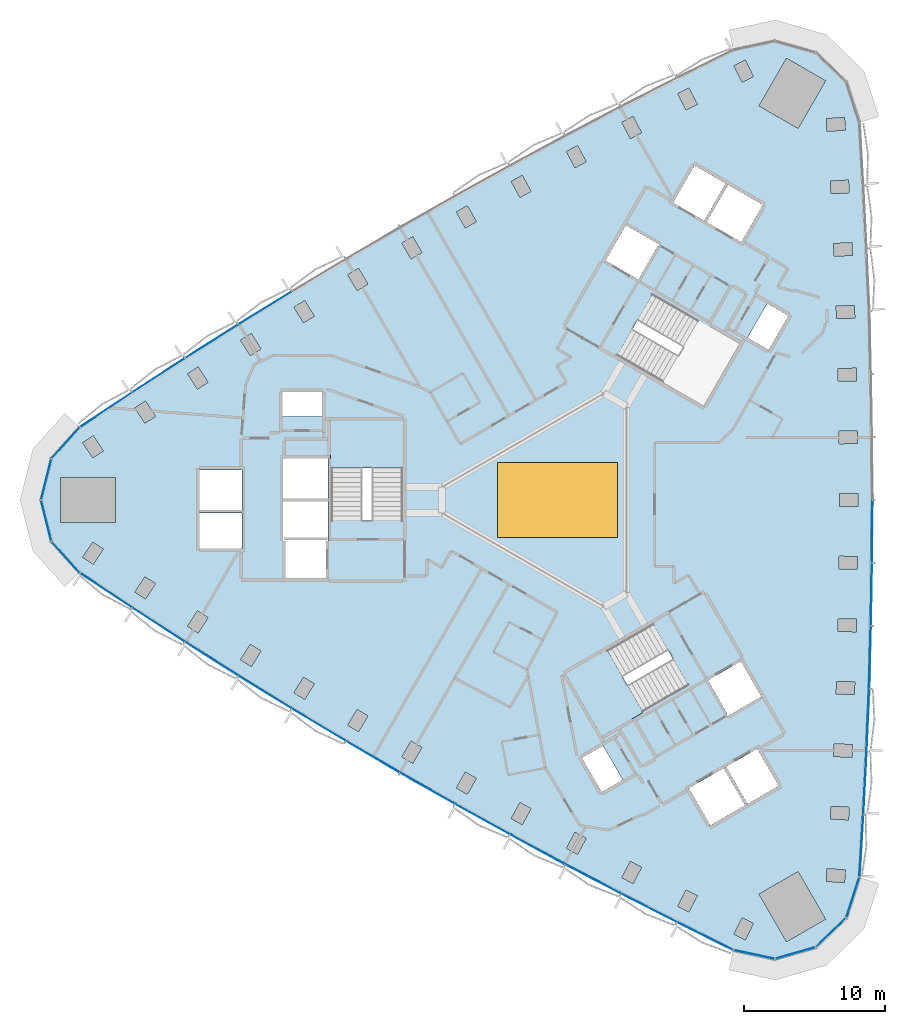
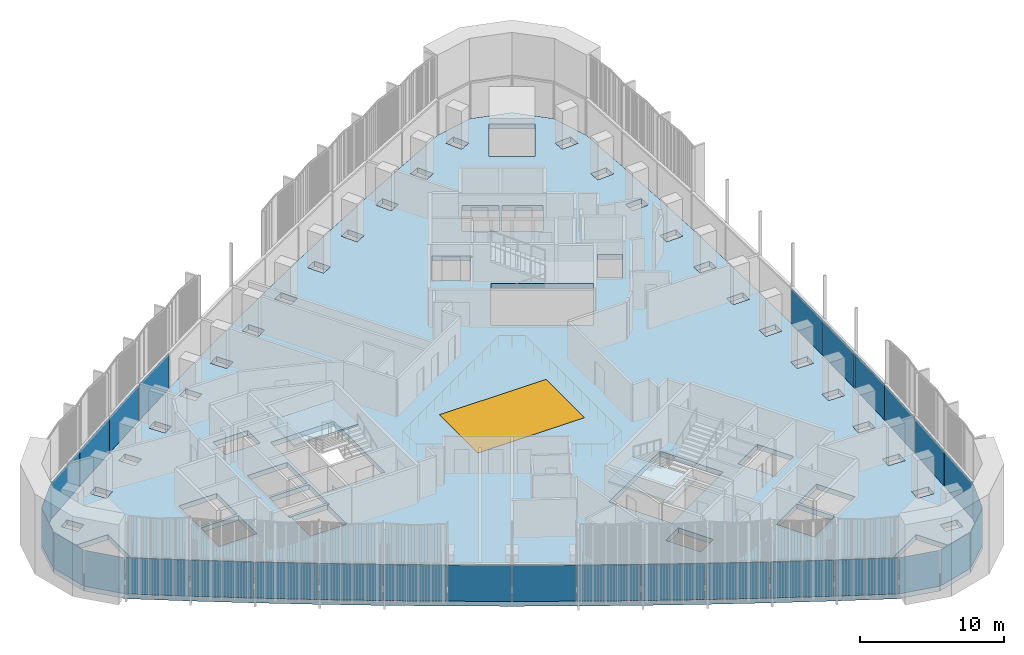
# One storey, part 6 of 15: 30 plates, 3 slabs, 1 window, 1 opening, 5 elements without a shape of their own.
"""IFC4 building model written with IfcOpenShell, lengths in metres."""

import ifcopenshell
import ifcopenshell.guid

model = None  # the IFC model being written
_history = None  # IfcOwnerHistory: only IFC2X3 demands one
_inside = {}  # id of a spatial element -> (the spatial element, [elements in it])
_under = {}  # id of a project, library or spatial element -> (it, [spatial elements below it])
_declared = {}  # id of a project -> (the project, [libraries it declares])
_typed = {}  # id of a type object -> (the type object, [elements of that type])
_made_of = {}  # id of a material, layer set ... -> (it, [elements and type objects made of it])


def new_model(schema):
    """Start an empty IFC model of exactly this schema.

    Asked for "IFC4X3", IfcOpenShell would pick the latest addendum, in which some entities
    have other attributes; the version numbers below select the first issue.
    IFC2X3 requires an IfcOwnerHistory on every rooted entity: one is made here for all.
    """
    global model, _history
    if schema == "IFC4X3":
        model = ifcopenshell.file(schema_version=(4, 3, 0, 0))
    else:
        model = ifcopenshell.file(schema=schema)
    _inside.clear()
    _under.clear()
    _declared.clear()
    _typed.clear()
    _made_of.clear()
    _history = None
    if model.schema == "IFC2X3":
        org = make("IfcOrganization", Name="unknown")
        user = make(
            "IfcPersonAndOrganization",
            ThePerson=make("IfcPerson", FamilyName="unknown"),
            TheOrganization=org,
        )
        app = make(
            "IfcApplication",
            ApplicationDeveloper=org,
            Version="unknown",
            ApplicationFullName="unknown",
            ApplicationIdentifier="unknown",
        )
        _history = make(
            "IfcOwnerHistory",
            OwningUser=user,
            OwningApplication=app,
            ChangeAction="ADDED",
            CreationDate=0,
        )
    return model


def make(cls, **values):
    """One entity of the class cls with the attributes given. An attribute that is None is left unset."""
    return model.create_entity(
        cls, **{name: value for name, value in values.items() if value is not None}
    )


def rooted(cls, **values):
    """An entity with a GlobalId (a new one), such as an element, a storey or a relation."""
    return make(cls, GlobalId=ifcopenshell.guid.new(), OwnerHistory=_history, **values)


def si_unit(unit_type, name, prefix=None):
    """IfcSIUnit, for example si_unit("LENGTHUNIT", "METRE", prefix="MILLI")."""
    return make("IfcSIUnit", UnitType=unit_type, Prefix=prefix, Name=name)


def assignment(units):
    """IfcUnitAssignment: the units of a project."""
    return None if units is None else make("IfcUnitAssignment", Units=units)


def point(xyz):
    """IfcCartesianPoint."""
    return None if xyz is None else make("IfcCartesianPoint", Coordinates=xyz)


def direction(xyz):
    """IfcDirection."""
    return None if xyz is None else make("IfcDirection", DirectionRatios=xyz)


def frame(location, z_axis=None, x_axis=None):
    """IfcAxis2Placement3D, a coordinate frame: its origin and axes. An axis left out is left unset."""
    return make(
        "IfcAxis2Placement3D",
        Location=point(location),
        Axis=direction(z_axis),
        RefDirection=direction(x_axis),
    )


def frame_2d(location, x_axis=None):
    """IfcAxis2Placement2D, a coordinate frame in the plane: its origin and x axis."""
    return make(
        "IfcAxis2Placement2D", Location=point(location), RefDirection=direction(x_axis)
    )


def origin():
    """The frame at (0, 0, 0) with its axes left unset."""
    return frame((0.0, 0.0, 0.0))


def origin_2d():
    """The frame at (0, 0) in the plane with its x axis left unset."""
    return frame_2d((0.0, 0.0))


def place(relative_to, where):
    """IfcLocalPlacement: puts the frame where relative to a parent placement (None: the world)."""
    return make(
        "IfcLocalPlacement", PlacementRelTo=relative_to, RelativePlacement=where
    )


def context(
    kind, dimensions, precision=None, world=None, true_north=None, identifier=None
):
    """IfcGeometricRepresentationContext, for example the 3D "Model" context."""
    return make(
        "IfcGeometricRepresentationContext",
        ContextIdentifier=identifier,
        ContextType=kind,
        CoordinateSpaceDimension=dimensions,
        Precision=precision,
        WorldCoordinateSystem=world,
        TrueNorth=true_north,
    )


def subcontext(parent, identifier, kind, view, scale=None):
    """IfcGeometricRepresentationSubContext, for example "Body" below "Model"."""
    return make(
        "IfcGeometricRepresentationSubContext",
        ContextIdentifier=identifier,
        ContextType=kind,
        ParentContext=parent,
        TargetScale=scale,
        TargetView=view,
    )


def project(units=None, contexts=None):
    """IfcProject with its units and contexts."""
    return rooted(
        "IfcProject",
        Name="project",
        RepresentationContexts=contexts,
        UnitsInContext=assignment(units),
    )


def spatial(cls, under=None, at=None, **own):
    """A site, building, storey or space (cls), placed at a placement, below another one or the project."""
    s = rooted(cls, ObjectPlacement=at, **own)
    if under is not None:
        _under.setdefault(under.id(), (under, []))[1].append(s)
    return s


def polyline(points):
    """IfcPolyline through the points."""
    return make("IfcPolyline", Points=[point(p) for p in points])


def profile(cls, at=None, kind="AREA", **sizes):
    """A parametric profile (cls). Its sizes go by their IFC names, for example OverallWidth=200.0."""
    return make(cls, ProfileType=kind, Position=at, **sizes)


def rectangle(**sizes):
    """IfcRectangleProfileDef."""
    return profile("IfcRectangleProfileDef", **sizes)


def outline(outer, holes=None, kind="AREA"):
    """IfcArbitraryClosedProfileDef: a profile drawn as a closed curve; with holes, ...WithVoids."""
    if holes is None:
        return make("IfcArbitraryClosedProfileDef", ProfileType=kind, OuterCurve=outer)
    return make(
        "IfcArbitraryProfileDefWithVoids",
        ProfileType=kind,
        OuterCurve=outer,
        InnerCurves=holes,
    )


def extrude(swept, where, along, depth):
    """IfcExtrudedAreaSolid: the profile swept, set in the frame where, extruded along a direction by depth."""
    return make(
        "IfcExtrudedAreaSolid",
        SweptArea=swept,
        Position=where,
        ExtrudedDirection=direction(along),
        Depth=depth,
    )


def shape(context_of_items, identifier, shape_type, items):
    """IfcShapeRepresentation: the items that make up one representation, for example the "Body"."""
    return make(
        "IfcShapeRepresentation",
        ContextOfItems=context_of_items,
        RepresentationIdentifier=identifier,
        RepresentationType=shape_type,
        Items=items,
    )


def material(Name=None, Category=None):
    """IfcMaterial."""
    return make("IfcMaterial", Name=Name, Category=Category)


def layer(
    of_material, thickness, ventilated=None, Name=None, Category=None, Priority=None
):
    """IfcMaterialLayer: one layer of a wall or slab, of a material (None: an air gap)."""
    return make(
        "IfcMaterialLayer",
        Material=of_material,
        LayerThickness=thickness,
        IsVentilated=ventilated,
        Name=Name,
        Category=Category,
        Priority=Priority,
    )


def layer_set(layers, Name=None):
    """IfcMaterialLayerSet."""
    return make("IfcMaterialLayerSet", MaterialLayers=layers, LayerSetName=Name)


def made_of(thing, what):
    """Note that an element or type object is made of a material, layer set ...; save() writes the relation."""
    if what is not None:
        _made_of.setdefault(what.id(), (what, []))[1].append(thing)
    return thing


def type_object(cls, material=None, **own):
    """A type object (cls), such as IfcWallType, which elements share."""
    return made_of(rooted(cls, **own), material)


def element(
    cls,
    number,
    at=None,
    inside=None,
    cuts=None,
    type_object=None,
    material=None,
    context=None,
    identifier="Body",
    shape_type=None,
    held_by="IfcProductDefinitionShape",
    body=None,
    shapes=None,
    **own,
):
    """One element of the class cls, such as IfcWall. Its Tag is "e" and its number.

    at: its placement. inside: the storey or other place that contains it. cuts: it is an
    opening in that element (IfcRelVoidsElement). A single representation is given by context,
    identifier, shape_type and body (its items); several are given by shapes. held_by: the class
    of the entity that holds the representations. save() writes the other relations.
    """
    e = rooted(cls, Tag="e%d" % number, ObjectPlacement=at, **own)
    if body is not None:
        shapes = [shape(context, identifier, shape_type, body)]
    if shapes is not None:
        e.Representation = make(held_by, Representations=shapes)
    if inside is not None:
        _inside.setdefault(inside.id(), (inside, []))[1].append(e)
    if cuts is not None:
        rooted(
            "IfcRelVoidsElement", RelatingBuildingElement=cuts, RelatedOpeningElement=e
        )
    if type_object is not None:
        _typed.setdefault(type_object.id(), (type_object, []))[1].append(e)
    return made_of(e, material)


def fill(opening, filler):
    """IfcRelFillsElement: the door or window that sits in an opening."""
    return rooted(
        "IfcRelFillsElement",
        RelatingOpeningElement=opening,
        RelatedBuildingElement=filler,
    )


def aggregate(whole, parts):
    """IfcRelAggregates: a whole, such as a stair, and the parts it consists of."""
    return rooted("IfcRelAggregates", RelatingObject=whole, RelatedObjects=parts)


def save(model, path):
    """Write the relations noted so far, then the file.

    IfcRelAggregates (storeys below a building ...), IfcRelContainedInSpatialStructure (elements
    in a storey), IfcRelDefinesByType, IfcRelAssociatesMaterial and IfcRelDeclares: one each for
    every whole, place, type object, material and project.
    """
    for whole, parts in _under.values():
        aggregate(whole, parts)
    for where, things in _inside.values():
        rooted(
            "IfcRelContainedInSpatialStructure",
            RelatedElements=things,
            RelatingStructure=where,
        )
    for kind, things in _typed.values():
        rooted("IfcRelDefinesByType", RelatedObjects=things, RelatingType=kind)
    for what, things in _made_of.values():
        rooted("IfcRelAssociatesMaterial", RelatedObjects=things, RelatingMaterial=what)
    for by, libraries in _declared.values():
        rooted("IfcRelDeclares", RelatingContext=by, RelatedDefinitions=libraries)
    model.write(path)


model = new_model("IFC4")

# Units and contexts
model_context = context("Model", 3, precision=1e-05, world=origin(), true_north=direction((0.0, 1.0)))
body_context = subcontext(model_context, "Body", "Model", "MODEL_VIEW")
ifc_project = project(units=[si_unit("LENGTHUNIT", "METRE"), si_unit("AREAUNIT", "SQUARE_METRE"), si_unit("VOLUMEUNIT", "CUBIC_METRE"), si_unit("PLANEANGLEUNIT", "RADIAN"), si_unit("MASSUNIT", "GRAM", prefix="KILO")], contexts=[model_context])

# Site, building, storey
site_placement = place(None, origin())
site = spatial("IfcSite", under=ifc_project, at=site_placement, CompositionType="ELEMENT")
building_placement = place(site_placement, origin())
building = spatial("IfcBuilding", under=site, at=building_placement, Name="Tamra Quay Hotel Tower", CompositionType="ELEMENT")
storey_placement = place(building_placement, frame((0.0, 0.0, 79.39990234375)))
storey = spatial("IfcBuildingStorey", under=building, at=storey_placement, Name="L18", CompositionType="ELEMENT", Elevation=79.39990234375)

# Stair, slab
ifc_material_1 = material(Name="Exit stair 2200 24 risers 150.0 going 342")
stair_type = type_object("IfcStairType", Name="Exit stair 2200 24 risers 150.0 going 342", PredefinedType="HALF_TURN_STAIR", material=ifc_material_1)
stair_1_placement = place(storey_placement, origin())
stair_1 = element("IfcStair", 1, at=stair_1_placement, inside=storey, type_object=stair_type, Name="L18 Exit stair ST3", PredefinedType="HALF_TURN_STAIR")
ifc_material_2 = material(Name="Concrete M70", Category="concrete")
ifc_layer_1 = layer(ifc_material_2, 0.175048828125)
ifc_layer_set_1 = layer_set([ifc_layer_1], Name="Concrete M70 stair landing 180")
slab_type_1 = type_object("IfcSlabType", Name="Concrete M70 stair landing 180", PredefinedType="LANDING", material=ifc_layer_set_1)
slab_1_placement = place(storey_placement, frame((0.0, 0.0, 1.625)))
slab_1 = element("IfcSlab", 2, at=slab_1_placement, type_object=slab_type_1, Name="ST3 landing 1", PredefinedType="LANDING", context=body_context, shape_type="SweptSolid", body=[
    extrude(outline(polyline([(-10.932373046875, 2.261962890625), (-10.932373046875, 5.679931640625), (-16.09130859375, 5.679931640625), (-16.09130859375, 2.261962890625), (-10.932373046875, 2.261962890625)])), origin(), (0.0, 0.0, 1.0), 0.175048828125),
])
aggregate(stair_1, [slab_1])

stair_2_placement = place(storey_placement, origin())
stair_2 = element("IfcStair", 3, at=stair_2_placement, inside=storey, type_object=stair_type, Name="L18 Exit stair ST2", PredefinedType="HALF_TURN_STAIR")
slab_2_placement = place(storey_placement, frame((0.0, 0.0, 1.625)))
slab_2 = element("IfcSlab", 4, at=slab_2_placement, type_object=slab_type_1, Name="ST2 landing 1", PredefinedType="LANDING", context=body_context, shape_type="SweptSolid", body=[
    extrude(outline(polyline([(3.50732421875, -10.5986328125), (0.547119140625, -12.3076171875), (3.126708984375, -16.775390625), (6.086669921875, -15.06640625), (3.50732421875, -10.5986328125)])), origin(), (0.0, 0.0, 1.0), 0.175048828125),
])
aggregate(stair_2, [slab_2])

# Slab, opening, window
ifc_material_3 = material(Name="Concrete M60", Category="concrete")
ifc_layer_2 = layer(ifc_material_3, 0.425048828125)
ifc_layer_set_2 = layer_set([ifc_layer_2], Name="FLOOR SLAB PT 425")
slab_type_2 = type_object("IfcSlabType", Name="FLOOR SLAB PT 425", PredefinedType="FLOOR", material=ifc_layer_set_2)
slab_3_placement = place(storey_placement, frame((0.0, 0.0, -0.4248046875)))
slab_3 = element("IfcSlab", 5, at=slab_3_placement, inside=storey, type_object=slab_type_2, Name="SLAB-L18", PredefinedType="FLOOR", context=body_context, shape_type="SweptSolid", body=[
    extrude(outline(polyline([(21.696044921875, 22.307861328125), (21.92529296875, 17.849853515625), (22.103515625, 13.389404296875), (22.23095703125, 8.92724609375), (22.3076171875, 4.4638671875), (22.3330078125, 0.0), (22.3076171875, -4.4638671875), (22.23095703125, -8.92724609375), (22.103515625, -13.389404296875), (21.92529296875, -17.849853515625), (21.696044921875, -22.307861328125), (21.41650390625, -26.762451171875), (20.48779296875, -29.6328125), (18.31884765625, -31.729248046875), (15.418701171875, -32.559326171875), (12.46875, -31.928466796875), (8.47119140625, -29.943359375), (4.49560546875, -27.91259765625), (0.543701171875, -25.8369140625), (-3.38427734375, -23.71630859375), (-7.287841796875, -21.55078125), (-11.16650390625, -19.3408203125), (-15.01953125, -17.0869140625), (-18.8466796875, -14.7890625), (-22.647216796875, -12.447509765625), (-26.4208984375, -10.06298828125), (-30.167236328125, -7.635498046875), (-33.88525390625, -5.166015625), (-35.906494140625, -2.9267578125), (-36.6376953125, 0.0), (-35.906494140625, 2.9267578125), (-33.88525390625, 5.166015625), (-30.167236328125, 7.635498046875), (-26.4208984375, 10.06298828125), (-22.647216796875, 12.447509765625), (-18.8466796875, 14.7890625), (-15.01953125, 17.0869140625), (-11.16650390625, 19.3408203125), (-7.287841796875, 21.55078125), (-3.38427734375, 23.71630859375), (0.543701171875, 25.8369140625), (4.49560546875, 27.91259765625), (8.47119140625, 29.943359375), (12.46875, 31.928466796875), (15.418701171875, 32.559326171875), (18.31884765625, 31.729248046875), (20.48779296875, 29.6328125), (21.41650390625, 26.762451171875), (21.696044921875, 22.307861328125)]), holes=[polyline([(-14.884521484375, -15.9765625), (-14.1103515625, -16.435302734375), (-13.447509765625, -15.317138671875), (-14.2216796875, -14.858154296875), (-14.884521484375, -15.9765625)]), polyline([(-18.0234375, -12.569580078125), (-18.698974609375, -13.680419921875), (-17.929931640625, -14.14794921875), (-17.25439453125, -13.037353515625), (-18.0234375, -12.569580078125)]), polyline([(-21.798583984375, -10.23779296875), (-22.487060546875, -11.340576171875), (-21.723388671875, -11.817138671875), (-21.03515625, -10.714111328125), (-21.798583984375, -10.23779296875)]), polyline([(-25.547119140625, -7.86279296875), (-26.248046875, -8.9580078125), (-25.489990234375, -9.443115234375), (-24.789306640625, -8.34814453125), (-25.547119140625, -7.86279296875)]), polyline([(-29.268310546875, -5.445556640625), (-29.981689453125, -6.532470703125), (-29.229248046875, -7.026123046875), (-28.51611328125, -5.939453125), (-29.268310546875, -5.445556640625)]), polyline([(-16.3173828125, -2.85498046875), (-19.4072265625, -2.85498046875), (-19.4072265625, -2.89306640625), (-19.307373046875, -2.89306640625), (-19.307373046875, -5.544921875), (-16.417236328125, -5.544921875), (-16.417236328125, -2.89306640625), (-16.3173828125, -2.89306640625), (-16.3173828125, -2.85498046875)]), polyline([(-32.96240234375, -2.986083984375), (-33.6875, -4.06494140625), (-32.9404296875, -4.56689453125), (-32.215576171875, -3.488037109375), (-32.96240234375, -2.986083984375)]), polyline([(-22.3671875, -0.905029296875), (-25.4072265625, -0.905029296875), (-25.4072265625, -3.445068359375), (-22.3671875, -3.445068359375), (-22.3671875, -0.905029296875)]), polyline([(-19.417236328125, -2.89306640625), (-19.417236328125, -2.64501953125), (-16.307373046875, -2.64501953125), (-16.307373046875, -2.89306640625), (-16.26708984375, -2.89306640625), (-16.26708984375, -0.10498046875), (-19.45751953125, -0.10498046875), (-19.45751953125, -2.89306640625), (-19.417236328125, -2.89306640625)]), polyline([(-31.36376953125, 1.60009765625), (-35.263671875, 1.60009765625), (-35.263671875, -1.60009765625), (-31.36376953125, -1.60009765625), (-31.36376953125, 1.60009765625)]), polyline([(-25.4072265625, -0.695068359375), (-22.3671875, -0.695068359375), (-22.3671875, 2.14501953125), (-25.4072265625, 2.14501953125), (-25.4072265625, -0.695068359375)]), polyline([(-19.45751953125, 0.10498046875), (-16.26708984375, 0.10498046875), (-16.26708984375, 2.945068359375), (-19.45751953125, 2.945068359375), (-19.45751953125, 0.10498046875)]), polyline([(-16.036376953125, -1.455078125), (-10.9873046875, -1.455078125), (-10.9873046875, 5.625), (-16.036376953125, 5.625), (-16.036376953125, -1.455078125)]), polyline([(-32.215576171875, 3.488037109375), (-32.9404296875, 4.56689453125), (-33.6875, 4.06494140625), (-32.96240234375, 2.986083984375), (-32.215576171875, 3.488037109375)]), polyline([(-29.229248046875, 7.026123046875), (-29.981689453125, 6.532470703125), (-29.268310546875, 5.445556640625), (-28.51611328125, 5.939453125), (-29.229248046875, 7.026123046875)]), polyline([(-16.71728515625, 7.64501953125), (-19.50732421875, 7.64501953125), (-19.50732421875, 5.9150390625), (-16.71728515625, 5.9150390625), (-16.71728515625, 7.64501953125)]), polyline([(-24.789306640625, 8.34814453125), (-25.489990234375, 9.443115234375), (-26.248046875, 8.9580078125), (-25.547119140625, 7.86279296875), (-24.789306640625, 8.34814453125)]), polyline([(-21.03515625, 10.714111328125), (-21.723388671875, 11.817138671875), (-22.487060546875, 11.340576171875), (-21.798583984375, 10.23779296875), (-21.03515625, 10.714111328125)]), polyline([(-17.25439453125, 13.037353515625), (-17.929931640625, 14.14794921875), (-18.698974609375, 13.680419921875), (-18.0234375, 12.569580078125), (-17.25439453125, 13.037353515625)]), polyline([(-13.447509765625, 15.317138671875), (-14.1103515625, 16.435302734375), (-14.884521484375, 15.9765625), (-14.2216796875, 14.858154296875), (-13.447509765625, 15.317138671875)]), polyline([(9.1142578125, -27.665283203125), (8.52978515625, -28.826416015625), (9.33349609375, -29.231201171875), (9.918212890625, -28.070068359375), (9.1142578125, -27.665283203125)]), polyline([(5.164794921875, -25.64208984375), (4.567138671875, -26.79638671875), (5.3662109375, -27.210205078125), (5.964111328125, -26.055908203125), (5.164794921875, -25.64208984375)]), polyline([(1.23876953125, -23.57421875), (0.627685546875, -24.721435546875), (1.422119140625, -25.14453125), (2.033203125, -23.9970703125), (1.23876953125, -23.57421875)]), polyline([(-2.663330078125, -21.46142578125), (-3.28759765625, -22.601806640625), (-2.498046875, -23.033935546875), (-1.873779296875, -21.8935546875), (-2.663330078125, -21.46142578125)]), polyline([(13.3056640625, -21.65576171875), (11.78564453125, -19.02294921875), (9.325927734375, -20.443115234375), (10.845947265625, -23.075927734375), (13.3056640625, -21.65576171875)]), polyline([(-6.541259765625, -19.304443359375), (-7.17822265625, -20.437744140625), (-6.393798828125, -20.878662109375), (-5.756591796875, -19.74560546875), (-6.541259765625, -19.304443359375)]), polyline([(1.73779296875, -18.300048828125), (3.1328125, -20.71630859375), (4.631103515625, -19.851318359375), (3.236083984375, -17.43505859375), (1.73779296875, -18.300048828125)]), polyline([(-10.394287109375, -17.103271484375), (-11.044189453125, -18.22900390625), (-10.264892578125, -18.67919921875), (-9.61474609375, -17.55322265625), (-10.394287109375, -17.103271484375)]), polyline([(10.68115234375, -12.790283203125), (12.05615234375, -15.171875), (11.969482421875, -15.2216796875), (12.03955078125, -15.343017578125), (14.455810546875, -13.947998046875), (13.0107421875, -11.4453125), (10.68115234375, -12.790283203125)]), polyline([(6.75390625, -8.78759765625), (0.622314453125, -12.32763671875), (3.146728515625, -16.7001953125), (9.2783203125, -13.160400390625), (6.75390625, -8.78759765625)]), polyline([(6.758056640625, 14.615478515625), (4.2333984375, 10.242919921875), (10.364990234375, 6.702880859375), (12.889404296875, 11.075439453125), (6.758056640625, 14.615478515625)]), polyline([(5.736083984375, 15.645263671875), (7.111083984375, 18.02685546875), (7.19775390625, 17.976806640625), (7.267578125, 18.09814453125), (4.8515625, 19.4931640625), (3.406494140625, 16.990234375), (5.736083984375, 15.645263671875)]), polyline([(-9.61474609375, 17.55322265625), (-10.264892578125, 18.67919921875), (-11.044189453125, 18.22900390625), (-10.394287109375, 17.103271484375), (-9.61474609375, 17.55322265625)]), polyline([(-5.756591796875, 19.74560546875), (-6.393798828125, 20.878662109375), (-7.17822265625, 20.437744140625), (-6.541259765625, 19.304443359375), (-5.756591796875, 19.74560546875)]), polyline([(12.101806640625, 22.350830078125), (10.58154296875, 19.718017578125), (13.041259765625, 18.298095703125), (14.561279296875, 20.930908203125), (12.101806640625, 22.350830078125)]), polyline([(8.2001953125, 21.093017578125), (10.39990234375, 19.822998046875), (11.919921875, 22.455810546875), (9.72021484375, 23.725830078125), (8.2001953125, 21.093017578125)]), polyline([(-1.873779296875, 21.8935546875), (-2.498046875, 23.033935546875), (-3.28759765625, 22.601806640625), (-2.663330078125, 21.46142578125), (-1.873779296875, 21.8935546875)]), polyline([(2.033203125, 23.9970703125), (1.422119140625, 25.14453125), (0.627685546875, 24.721435546875), (1.23876953125, 23.57421875), (2.033203125, 23.9970703125)]), polyline([(5.964111328125, 26.055908203125), (5.3662109375, 27.210205078125), (4.567138671875, 26.79638671875), (5.164794921875, 25.64208984375), (5.964111328125, 26.055908203125)]), polyline([(9.918212890625, 28.070068359375), (9.33349609375, 29.231201171875), (8.52978515625, 28.826416015625), (9.1142578125, 27.665283203125), (9.918212890625, 28.070068359375)]), polyline([(13.0869140625, -29.643310546875), (12.51513671875, -30.810791015625), (13.323486328125, -31.206787109375), (13.895263671875, -30.039306640625), (13.0869140625, -29.643310546875)]), polyline([(14.296142578125, -27.9619140625), (16.24609375, -31.339111328125), (19.017333984375, -29.7392578125), (17.0673828125, -26.36181640625), (14.296142578125, -27.9619140625)]), polyline([(19.067138671875, -27.05322265625), (20.3642578125, -27.141845703125), (20.42529296875, -26.243896484375), (19.12841796875, -26.155517578125), (19.067138671875, -27.05322265625)]), polyline([(19.350341796875, -22.624267578125), (20.648193359375, -22.698486328125), (20.699462890625, -21.800048828125), (19.401611328125, -21.725830078125), (19.350341796875, -22.624267578125)]), polyline([(11.96728515625, -18.91796875), (13.487548828125, -21.55078125), (15.68701171875, -20.281005859375), (14.1669921875, -17.648193359375), (11.96728515625, -18.91796875)]), polyline([(19.5830078125, -18.193115234375), (20.8818359375, -18.25244140625), (20.9228515625, -17.353515625), (19.624267578125, -17.2939453125), (19.5830078125, -18.193115234375)]), polyline([(19.765380859375, -13.75927734375), (21.064697265625, -13.803955078125), (21.095703125, -12.904541015625), (19.79638671875, -12.85986328125), (19.765380859375, -13.75927734375)]), polyline([(19.897216796875, -9.323974609375), (21.197021484375, -9.353759765625), (21.217529296875, -8.453857421875), (19.91796875, -8.424072265625), (19.897216796875, -9.323974609375)]), polyline([(19.978515625, -4.88720703125), (21.2783203125, -4.902099609375), (21.288818359375, -4.002197265625), (19.98876953125, -3.9873046875), (19.978515625, -4.88720703125)]), polyline([(20.009033203125, -0.449951171875), (21.30908203125, -0.449951171875), (21.30908203125, 0.449951171875), (20.009033203125, 0.449951171875), (20.009033203125, -0.449951171875)]), polyline([(19.98876953125, 3.9873046875), (21.288818359375, 4.002197265625), (21.2783203125, 4.902099609375), (19.978515625, 4.88720703125), (19.98876953125, 3.9873046875)]), polyline([(19.91796875, 8.424072265625), (21.217529296875, 8.453857421875), (21.197021484375, 9.353759765625), (19.897216796875, 9.323974609375), (19.91796875, 8.424072265625)]), polyline([(14.9794921875, 10.655029296875), (16.37451171875, 13.0712890625), (14.876220703125, 13.936279296875), (13.481201171875, 11.52001953125), (14.9794921875, 10.655029296875)]), polyline([(19.79638671875, 12.85986328125), (21.095703125, 12.904541015625), (21.064697265625, 13.803955078125), (19.765380859375, 13.75927734375), (19.79638671875, 12.85986328125)]), polyline([(19.624267578125, 17.2939453125), (20.9228515625, 17.353515625), (20.8818359375, 18.25244140625), (19.5830078125, 18.193115234375), (19.624267578125, 17.2939453125)]), polyline([(19.401611328125, 21.725830078125), (20.699462890625, 21.800048828125), (20.648193359375, 22.698486328125), (19.350341796875, 22.624267578125), (19.401611328125, 21.725830078125)]), polyline([(19.12841796875, 26.155517578125), (20.42529296875, 26.243896484375), (20.3642578125, 27.141845703125), (19.067138671875, 27.05322265625), (19.12841796875, 26.155517578125)]), polyline([(17.0673828125, 26.36181640625), (19.017333984375, 29.7392578125), (16.24609375, 31.339111328125), (14.296142578125, 27.9619140625), (17.0673828125, 26.36181640625)]), polyline([(13.895263671875, 30.039306640625), (13.323486328125, 31.206787109375), (12.51513671875, 30.810791015625), (13.0869140625, 29.643310546875), (13.895263671875, 30.039306640625)])]), origin(), (0.0, 0.0, 1.0), 0.4248046875),
])
opening_placement = place(slab_3_placement, origin())
opening = element("IfcOpeningElement", 6, at=opening_placement, cuts=slab_3, Name="Opening SK1-8530", PredefinedType="OPENING", context=body_context, shape_type="SweptSolid", body=[
    extrude(rectangle(XDim=8.530029296875, YDim=5.320068359375, at=origin_2d()), origin(), (0.0, 0.0, 1.0), 0.4248046875),
])
ifc_material_4 = material(Name="Fire-rated laminated glass in steel frame", Category="steel")
window_type = type_object("IfcWindowType", Name="ATRIUM SKYLIGHT 8530X5320", PartitioningType="SINGLE_PANEL", PredefinedType="SKYLIGHT", material=ifc_material_4)
window_placement = place(opening_placement, frame((0.0, 0.0, 0.374755859375)))
window = element("IfcWindow", 7, at=window_placement, inside=storey, type_object=window_type, Name="SK1-8530", OverallHeight=5.320068359375, OverallWidth=8.530029296875, PartitioningType="SINGLE_PANEL", PredefinedType="SKYLIGHT", context=body_context, shape_type="SweptSolid", body=[
    extrude(rectangle(XDim=8.530029296875, YDim=5.320068359375, at=origin_2d()), origin(), (0.0, 0.0, 1.0), 0.050048828125),
])
fill(opening, window)

# Curtain wall, plates
ifc_material_5 = material(Name="Aluminium 6063 anodised dark grey", Category="aluminium")
curtain_wall_type_1 = type_object("IfcCurtainWallType", Name="CW1 CURTAIN WALL", PredefinedType="NOTDEFINED", material=ifc_material_5)
curtain_wall_1_placement = place(storey_placement, origin())
curtain_wall_1 = element("IfcCurtainWall", 8, at=curtain_wall_1_placement, inside=storey, type_object=curtain_wall_type_1, Name="CW1 east face L18", PredefinedType="NOTDEFINED")
ifc_material_6 = material(Name="Glass clear laminated low-iron", Category="glass")
ifc_layer_3 = layer(ifc_material_6, 0.033935546875)
ifc_layer_set_3 = layer_set([ifc_layer_3], Name="GLASS PANEL CW1 Z2")
plate_type_1 = type_object("IfcPlateType", Name="GLASS PANEL CW1 Z2", PredefinedType="CURTAIN_PANEL", material=ifc_layer_set_3)
plate_1_placement = place(storey_placement, frame((21.556396484375, -24.53515625, 0.0), z_axis=(0.0, 0.0, 1.0), x_axis=(0.062670105733, 0.998034296929, 0.0)))
plate_1 = element("IfcPlate", 9, at=plate_1_placement, type_object=plate_type_1, Name="CW1 glass L18.E.1", PredefinedType="CURTAIN_PANEL", context=body_context, shape_type="SweptSolid", body=[
    extrude(rectangle(XDim=4.363525390625, YDim=0.033935546875, at=origin_2d()), origin(), (0.0, 0.0, 1.0), 3.034912109375),
])
plate_2_placement = place(storey_placement, frame((21.810791015625, -20.078857421875, 0.0), z_axis=(0.0, 0.0, 1.0), x_axis=(0.051320550821, 0.998682232276, 0.0)))
plate_2 = element("IfcPlate", 10, at=plate_2_placement, type_object=plate_type_1, Name="CW1 glass L18.E.2", PredefinedType="CURTAIN_PANEL", context=body_context, shape_type="SweptSolid", body=[
    extrude(rectangle(XDim=4.364013671875, YDim=0.033935546875, at=origin_2d()), origin(), (0.0, 0.0, 1.0), 3.034912109375),
])
plate_3_placement = place(storey_placement, frame((22.014404296875, -15.61962890625, 0.0), z_axis=(0.0, 0.0, 1.0), x_axis=(0.039943755239, 0.999201929751, 0.0)))
plate_3 = element("IfcPlate", 11, at=plate_3_placement, type_object=plate_type_1, Name="CW1 glass L18.E.3", PredefinedType="CURTAIN_PANEL", context=body_context, shape_type="SweptSolid", body=[
    extrude(rectangle(XDim=4.364013671875, YDim=0.033935546875, at=origin_2d()), origin(), (0.0, 0.0, 1.0), 3.034912109375),
])
plate_4_placement = place(storey_placement, frame((22.167236328125, -11.158203125, 0.0), z_axis=(0.0, 0.0, 1.0), x_axis=(0.028546238865, 0.999592473084, 0.0)))
plate_4 = element("IfcPlate", 12, at=plate_4_placement, type_object=plate_type_1, Name="CW1 glass L18.E.4", PredefinedType="CURTAIN_PANEL", context=body_context, shape_type="SweptSolid", body=[
    extrude(rectangle(XDim=4.364013671875, YDim=0.033935546875, at=origin_2d()), origin(), (0.0, 0.0, 1.0), 3.034912109375),
])
plate_5_placement = place(storey_placement, frame((22.269287109375, -6.695556640625, 0.0), z_axis=(0.0, 0.0, 1.0), x_axis=(0.017133900698, 0.999853203949, 0.0)))
plate_5 = element("IfcPlate", 13, at=plate_5_placement, type_object=plate_type_1, Name="CW1 glass L18.E.5", PredefinedType="CURTAIN_PANEL", context=body_context, shape_type="SweptSolid", body=[
    extrude(rectangle(XDim=4.364013671875, YDim=0.033935546875, at=origin_2d()), origin(), (0.0, 0.0, 1.0), 3.034912109375),
])
plate_6_placement = place(storey_placement, frame((22.3203125, -2.23193359375, 0.0), z_axis=(0.0, 0.0, 1.0), x_axis=(0.005712677225, 0.999983682526, 0.0)))
plate_6 = element("IfcPlate", 14, at=plate_6_placement, type_object=plate_type_1, Name="CW1 glass L18.E.6", PredefinedType="CURTAIN_PANEL", context=body_context, shape_type="SweptSolid", body=[
    extrude(rectangle(XDim=4.364013671875, YDim=0.033935546875, at=origin_2d()), origin(), (0.0, 0.0, 1.0), 3.034912109375),
])
aggregate(curtain_wall_1, [plate_1, plate_2, plate_3, plate_4, plate_5, plate_6])

curtain_wall_type_2 = type_object("IfcCurtainWallType", Name="CW2 CURTAIN WALL", PredefinedType="NOTDEFINED", material=ifc_material_5)
curtain_wall_2_placement = place(storey_placement, origin())
curtain_wall_2 = element("IfcCurtainWall", 15, at=curtain_wall_2_placement, inside=storey, type_object=curtain_wall_type_2, Name="CW2 north-west face L18", PredefinedType="NOTDEFINED")
ifc_layer_4 = layer(ifc_material_6, 0.033935546875)
ifc_layer_set_4 = layer_set([ifc_layer_4], Name="GLASS PANEL CW2 Z2")
plate_type_2 = type_object("IfcPlateType", Name="GLASS PANEL CW2 Z2", PredefinedType="CURTAIN_PANEL", material=ifc_layer_set_4)
plate_7_placement = place(storey_placement, frame((-20.7470703125, 13.6181640625, 0.0), z_axis=(0.0, 0.0, 1.0), x_axis=(-0.85139935569, -0.524518004582, 0.0)))
plate_7 = element("IfcPlate", 16, at=plate_7_placement, type_object=plate_type_2, Name="CW2 glass L18.NW.9", PredefinedType="CURTAIN_PANEL", context=body_context, shape_type="SweptSolid", body=[
    extrude(rectangle(XDim=4.364013671875, YDim=0.033935546875, at=origin_2d()), origin(), (0.0, 0.0, 1.0), 3.034912109375),
])
plate_8_placement = place(storey_placement, frame((-24.5341796875, 11.255126953125, 0.0), z_axis=(0.0, 0.0, 1.0), x_axis=(-0.845362377055, -0.534193271635, 0.0)))
plate_8 = element("IfcPlate", 17, at=plate_8_placement, type_object=plate_type_2, Name="CW2 glass L18.NW.10", PredefinedType="CURTAIN_PANEL", context=body_context, shape_type="SweptSolid", body=[
    extrude(rectangle(XDim=4.364013671875, YDim=0.033935546875, at=origin_2d()), origin(), (0.0, 0.0, 1.0), 3.034912109375),
])
plate_9_placement = place(storey_placement, frame((-28.294189453125, 8.84912109375, 0.0), z_axis=(0.0, 0.0, 1.0), x_axis=(-0.839223908048, -0.543786016885, 0.0)))
plate_9 = element("IfcPlate", 18, at=plate_9_placement, type_object=plate_type_2, Name="CW2 glass L18.NW.11", PredefinedType="CURTAIN_PANEL", context=body_context, shape_type="SweptSolid", body=[
    extrude(rectangle(XDim=4.364013671875, YDim=0.033935546875, at=origin_2d()), origin(), (0.0, 0.0, 1.0), 3.034912109375),
])
plate_10_placement = place(storey_placement, frame((-32.026123046875, 6.400634765625, 0.0), z_axis=(0.0, 0.0, 1.0), x_axis=(-0.832988002122, -0.553291052088, 0.0)))
plate_10 = element("IfcPlate", 19, at=plate_10_placement, type_object=plate_type_2, Name="CW2 glass L18.NW.12", PredefinedType="CURTAIN_PANEL", context=body_context, shape_type="SweptSolid", body=[
    extrude(rectangle(XDim=4.363525390625, YDim=0.033935546875, at=origin_2d()), origin(), (0.0, 0.0, 1.0), 3.034912109375),
])
plate_11_placement = place(storey_placement, frame((-34.89599609375, 4.04638671875, 0.0), z_axis=(0.0, 0.0, 1.0), x_axis=(-0.670087934649, -0.742281725383, 0.0)))
plate_11 = element("IfcPlate", 20, at=plate_11_placement, type_object=plate_type_2, Name="CW2 glass L18.NW.13", PredefinedType="CURTAIN_PANEL", context=body_context, shape_type="SweptSolid", body=[
    extrude(rectangle(XDim=2.916748046875, YDim=0.033935546875, at=origin_2d()), origin(), (0.0, 0.0, 1.0), 3.034912109375),
])
plate_12_placement = place(storey_placement, frame((-36.272216796875, 1.46337890625, 0.0), z_axis=(0.0, 0.0, 1.0), x_axis=(-0.242338764242, -0.970191694123, 0.0)))
plate_12 = element("IfcPlate", 21, at=plate_12_placement, type_object=plate_type_2, Name="CW2 glass L18.NW.14", PredefinedType="CURTAIN_PANEL", context=body_context, shape_type="SweptSolid", body=[
    extrude(rectangle(XDim=2.916748046875, YDim=0.033935546875, at=origin_2d()), origin(), (0.0, 0.0, 1.0), 3.034912109375),
])
plate_13_placement = place(storey_placement, frame((-36.272216796875, -1.46337890625, 0.0), z_axis=(0.0, 0.0, 1.0), x_axis=(0.242338764242, -0.970191694123, 0.0)))
plate_13 = element("IfcPlate", 22, at=plate_13_placement, type_object=plate_type_2, Name="CW2 glass L18.NW.15", PredefinedType="CURTAIN_PANEL", context=body_context, shape_type="SweptSolid", body=[
    extrude(rectangle(XDim=2.916748046875, YDim=0.033935546875, at=origin_2d()), origin(), (0.0, 0.0, 1.0), 3.034912109375),
])
plate_14_placement = place(storey_placement, frame((-34.89599609375, -4.04638671875, 0.0), z_axis=(0.0, 0.0, 1.0), x_axis=(0.670087934649, -0.742281725383, 0.0)))
plate_14 = element("IfcPlate", 23, at=plate_14_placement, type_object=plate_type_2, Name="CW2 glass L18.NW.16", PredefinedType="CURTAIN_PANEL", context=body_context, shape_type="SweptSolid", body=[
    extrude(rectangle(XDim=2.916748046875, YDim=0.033935546875, at=origin_2d()), origin(), (0.0, 0.0, 1.0), 3.034912109375),
])
aggregate(curtain_wall_2, [plate_7, plate_8, plate_9, plate_10, plate_11, plate_12, plate_13, plate_14])

curtain_wall_type_3 = type_object("IfcCurtainWallType", Name="CW3 CURTAIN WALL", PredefinedType="NOTDEFINED", material=ifc_material_5)
curtain_wall_3_placement = place(storey_placement, origin())
curtain_wall_3 = element("IfcCurtainWall", 24, at=curtain_wall_3_placement, inside=storey, type_object=curtain_wall_type_3, Name="CW3 south-west face L18", PredefinedType="NOTDEFINED")
ifc_layer_5 = layer(ifc_material_6, 0.033935546875)
ifc_layer_set_5 = layer_set([ifc_layer_5], Name="GLASS PANEL CW3 Z2")
plate_type_3 = type_object("IfcPlateType", Name="GLASS PANEL CW3 Z2", PredefinedType="CURTAIN_PANEL", material=ifc_layer_set_5)
plate_15_placement = place(storey_placement, frame((-32.026123046875, -6.400634765625, 0.0), z_axis=(0.0, 0.0, 1.0), x_axis=(0.832988002122, -0.553291052088, 0.0)))
plate_15 = element("IfcPlate", 25, at=plate_15_placement, type_object=plate_type_3, Name="CW3 glass L18.SW.1", PredefinedType="CURTAIN_PANEL", context=body_context, shape_type="SweptSolid", body=[
    extrude(rectangle(XDim=4.363525390625, YDim=0.033935546875, at=origin_2d()), origin(), (0.0, 0.0, 1.0), 3.034912109375),
])
plate_16_placement = place(storey_placement, frame((-28.294189453125, -8.84912109375, 0.0), z_axis=(0.0, 0.0, 1.0), x_axis=(0.839223908048, -0.543786016885, 0.0)))
plate_16 = element("IfcPlate", 26, at=plate_16_placement, type_object=plate_type_3, Name="CW3 glass L18.SW.2", PredefinedType="CURTAIN_PANEL", context=body_context, shape_type="SweptSolid", body=[
    extrude(rectangle(XDim=4.364013671875, YDim=0.033935546875, at=origin_2d()), origin(), (0.0, 0.0, 1.0), 3.034912109375),
])
plate_17_placement = place(storey_placement, frame((-24.5341796875, -11.255126953125, 0.0), z_axis=(0.0, 0.0, 1.0), x_axis=(0.845362377055, -0.534193271635, 0.0)))
plate_17 = element("IfcPlate", 27, at=plate_17_placement, type_object=plate_type_3, Name="CW3 glass L18.SW.3", PredefinedType="CURTAIN_PANEL", context=body_context, shape_type="SweptSolid", body=[
    extrude(rectangle(XDim=4.364013671875, YDim=0.033935546875, at=origin_2d()), origin(), (0.0, 0.0, 1.0), 3.034912109375),
])
plate_18_placement = place(storey_placement, frame((-20.7470703125, -13.6181640625, 0.0), z_axis=(0.0, 0.0, 1.0), x_axis=(0.85139935569, -0.524518004582, 0.0)))
plate_18 = element("IfcPlate", 28, at=plate_18_placement, type_object=plate_type_3, Name="CW3 glass L18.SW.4", PredefinedType="CURTAIN_PANEL", context=body_context, shape_type="SweptSolid", body=[
    extrude(rectangle(XDim=4.364013671875, YDim=0.033935546875, at=origin_2d()), origin(), (0.0, 0.0, 1.0), 3.034912109375),
])
plate_19_placement = place(storey_placement, frame((-16.93310546875, -15.93798828125, 0.0), z_axis=(0.0, 0.0, 1.0), x_axis=(0.857331324326, -0.514764995245, 0.0)))
plate_19 = element("IfcPlate", 29, at=plate_19_placement, type_object=plate_type_3, Name="CW3 glass L18.SW.5", PredefinedType="CURTAIN_PANEL", context=body_context, shape_type="SweptSolid", body=[
    extrude(rectangle(XDim=4.364013671875, YDim=0.033935546875, at=origin_2d()), origin(), (0.0, 0.0, 1.0), 3.034912109375),
])
plate_20_placement = place(storey_placement, frame((-13.093017578125, -18.2138671875, 0.0), z_axis=(0.0, 0.0, 1.0), x_axis=(0.863154933825, -0.504939164863, 0.0)))
plate_20 = element("IfcPlate", 30, at=plate_20_placement, type_object=plate_type_3, Name="CW3 glass L18.SW.6", PredefinedType="CURTAIN_PANEL", context=body_context, shape_type="SweptSolid", body=[
    extrude(rectangle(XDim=4.364013671875, YDim=0.033935546875, at=origin_2d()), origin(), (0.0, 0.0, 1.0), 3.034912109375),
])
plate_21_placement = place(storey_placement, frame((-9.227294921875, -20.44580078125, 0.0), z_axis=(0.0, 0.0, 1.0), x_axis=(0.86886761105, -0.495044517663, 0.0)))
plate_21 = element("IfcPlate", 31, at=plate_21_placement, type_object=plate_type_3, Name="CW3 glass L18.SW.7", PredefinedType="CURTAIN_PANEL", context=body_context, shape_type="SweptSolid", body=[
    extrude(rectangle(XDim=4.364013671875, YDim=0.033935546875, at=origin_2d()), origin(), (0.0, 0.0, 1.0), 3.034912109375),
])
plate_22_placement = place(storey_placement, frame((-5.336181640625, -22.633544921875, 0.0), z_axis=(0.0, 0.0, 1.0), x_axis=(0.874465225024, -0.485088208704, 0.0)))
plate_22 = element("IfcPlate", 32, at=plate_22_placement, type_object=plate_type_3, Name="CW3 glass L18.SW.8", PredefinedType="CURTAIN_PANEL", context=body_context, shape_type="SweptSolid", body=[
    extrude(rectangle(XDim=4.364013671875, YDim=0.033935546875, at=origin_2d()), origin(), (0.0, 0.0, 1.0), 3.034912109375),
])
plate_23_placement = place(storey_placement, frame((-1.420166015625, -24.776611328125, 0.0), z_axis=(0.0, 0.0, 1.0), x_axis=(0.879945594555, -0.475074468502, 0.0)))
plate_23 = element("IfcPlate", 33, at=plate_23_placement, type_object=plate_type_3, Name="CW3 glass L18.SW.9", PredefinedType="CURTAIN_PANEL", context=body_context, shape_type="SweptSolid", body=[
    extrude(rectangle(XDim=4.364013671875, YDim=0.033935546875, at=origin_2d()), origin(), (0.0, 0.0, 1.0), 3.034912109375),
])
plate_24_placement = place(storey_placement, frame((2.519775390625, -26.874755859375, 0.0), z_axis=(0.0, 0.0, 1.0), x_axis=(0.885306132294, -0.465008658116, 0.0)))
plate_24 = element("IfcPlate", 34, at=plate_24_placement, type_object=plate_type_3, Name="CW3 glass L18.SW.10", PredefinedType="CURTAIN_PANEL", context=body_context, shape_type="SweptSolid", body=[
    extrude(rectangle(XDim=4.364013671875, YDim=0.033935546875, at=origin_2d()), origin(), (0.0, 0.0, 1.0), 3.034912109375),
])
plate_25_placement = place(storey_placement, frame((6.4833984375, -28.927978515625, 0.0), z_axis=(0.0, 0.0, 1.0), x_axis=(0.89054445887, -0.454896215391, 0.0)))
plate_25 = element("IfcPlate", 35, at=plate_25_placement, type_object=plate_type_3, Name="CW3 glass L18.SW.11", PredefinedType="CURTAIN_PANEL", context=body_context, shape_type="SweptSolid", body=[
    extrude(rectangle(XDim=4.364013671875, YDim=0.033935546875, at=origin_2d()), origin(), (0.0, 0.0, 1.0), 3.034912109375),
])
plate_26_placement = place(storey_placement, frame((10.469970703125, -30.935791015625, 0.0), z_axis=(0.0, 0.0, 1.0), x_axis=(0.895658107856, -0.444743244842, 0.0)))
plate_26 = element("IfcPlate", 36, at=plate_26_placement, type_object=plate_type_3, Name="CW3 glass L18.SW.12", PredefinedType="CURTAIN_PANEL", context=body_context, shape_type="SweptSolid", body=[
    extrude(rectangle(XDim=4.363525390625, YDim=0.033935546875, at=origin_2d()), origin(), (0.0, 0.0, 1.0), 3.034912109375),
])
plate_27_placement = place(storey_placement, frame((13.94384765625, -32.243896484375, 0.0), z_axis=(0.0, 0.0, 1.0), x_axis=(0.977878798271, -0.209172311484, 0.0)))
plate_27 = element("IfcPlate", 37, at=plate_27_placement, type_object=plate_type_3, Name="CW3 glass L18.SW.13", PredefinedType="CURTAIN_PANEL", context=body_context, shape_type="SweptSolid", body=[
    extrude(rectangle(XDim=2.916748046875, YDim=0.033935546875, at=origin_2d()), origin(), (0.0, 0.0, 1.0), 3.034912109375),
])
plate_28_placement = place(storey_placement, frame((16.868896484375, -32.144287109375, 0.0), z_axis=(0.0, 0.0, 1.0), x_axis=(0.961380035772, 0.275224320906, 0.0)))
plate_28 = element("IfcPlate", 38, at=plate_28_placement, type_object=plate_type_3, Name="CW3 glass L18.SW.14", PredefinedType="CURTAIN_PANEL", context=body_context, shape_type="SweptSolid", body=[
    extrude(rectangle(XDim=2.916748046875, YDim=0.033935546875, at=origin_2d()), origin(), (0.0, 0.0, 1.0), 3.034912109375),
])
plate_29_placement = place(storey_placement, frame((19.4033203125, -30.680908203125, 0.0), z_axis=(0.0, 0.0, 1.0), x_axis=(0.71904127153, 0.694967373217, 0.0)))
plate_29 = element("IfcPlate", 39, at=plate_29_placement, type_object=plate_type_3, Name="CW3 glass L18.SW.15", PredefinedType="CURTAIN_PANEL", context=body_context, shape_type="SweptSolid", body=[
    extrude(rectangle(XDim=2.916748046875, YDim=0.033935546875, at=origin_2d()), origin(), (0.0, 0.0, 1.0), 3.034912109375),
])
plate_30_placement = place(storey_placement, frame((20.9521484375, -28.197509765625, 0.0), z_axis=(0.0, 0.0, 1.0), x_axis=(0.307790863622, 0.951454036867, 0.0)))
plate_30 = element("IfcPlate", 40, at=plate_30_placement, type_object=plate_type_3, Name="CW3 glass L18.SW.16", PredefinedType="CURTAIN_PANEL", context=body_context, shape_type="SweptSolid", body=[
    extrude(rectangle(XDim=2.916748046875, YDim=0.033935546875, at=origin_2d()), origin(), (0.0, 0.0, 1.0), 3.034912109375),
])
aggregate(curtain_wall_3, [plate_15, plate_16, plate_17, plate_18, plate_19, plate_20, plate_21, plate_22, plate_23, plate_24, plate_25, plate_26, plate_27, plate_28, plate_29, plate_30])

save(model, "model.ifc")
